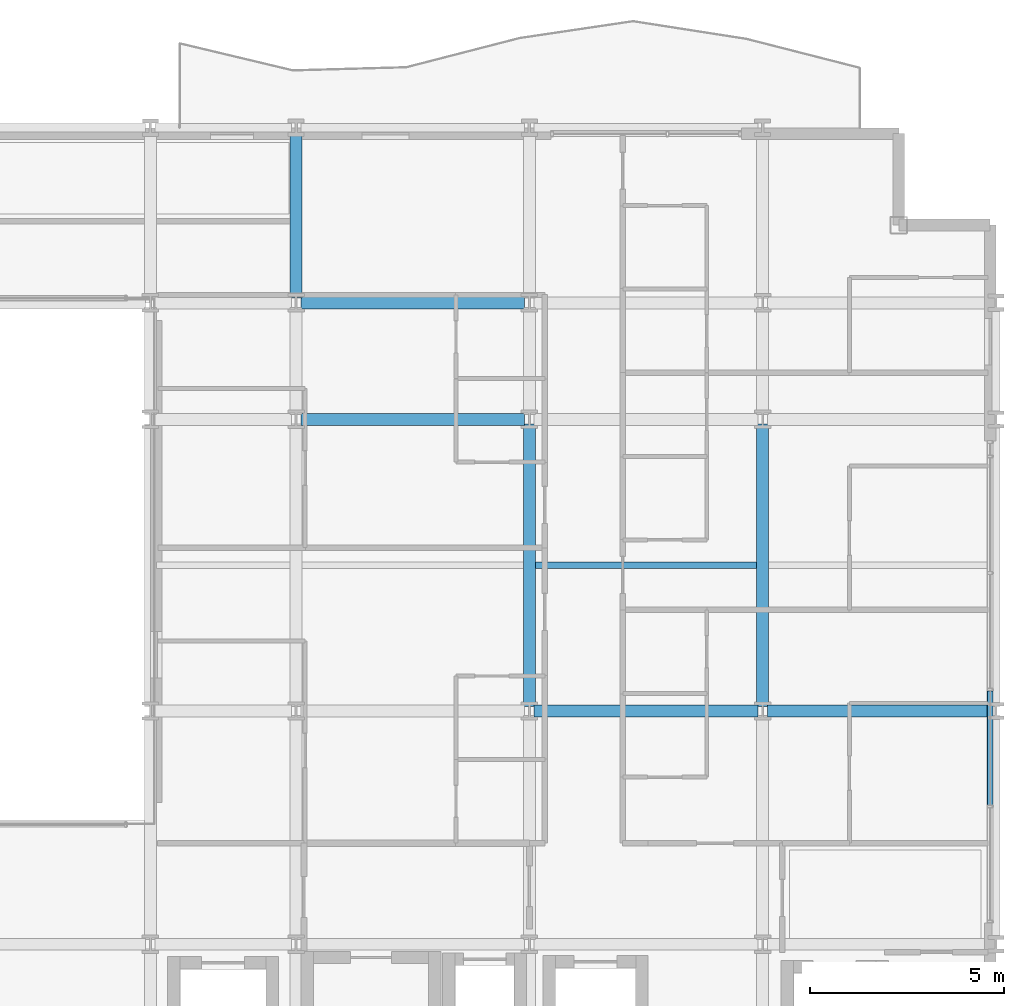
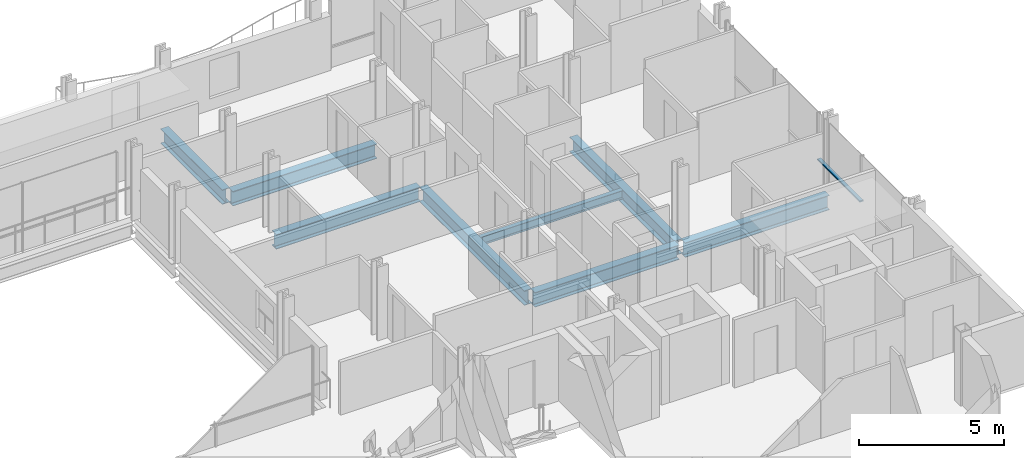
# One storey, part 18 of 40: 8 beams, 1 member, 1 element without a shape of its own.
"""IFC4 building model written with IfcOpenShell, lengths in metres."""

from ifc_helpers import new_model, si_unit, direction, frame, origin, origin_2d, place, context, subcontext, project, spatial, hollow_rectangle, i_section, extrude, material, layer, layer_set, material_profile, profile_set, type_object, element, aggregate, save


model = new_model("IFC4")

# Units and contexts
model_context = context("Model", 3, precision=1e-05, world=origin(), true_north=direction((0.0, 1.0)))
body_context = subcontext(model_context, "Body", "Model", "MODEL_VIEW")
ifc_project = project(units=[si_unit("LENGTHUNIT", "METRE"), si_unit("AREAUNIT", "SQUARE_METRE"), si_unit("VOLUMEUNIT", "CUBIC_METRE"), si_unit("PLANEANGLEUNIT", "RADIAN"), si_unit("MASSUNIT", "GRAM", prefix="KILO")], contexts=[model_context])

# Site, building, storey
site_placement = place(None, origin())
site = spatial("IfcSite", under=ifc_project, at=site_placement, CompositionType="ELEMENT")
building_placement = place(site_placement, origin())
building = spatial("IfcBuilding", under=site, at=building_placement, Name="Brevholm Reach", CompositionType="ELEMENT")
storey_placement = place(building_placement, frame((0.0, 0.0, 31.10009765625)))
storey = spatial("IfcBuildingStorey", under=building, at=storey_placement, Name="L07", CompositionType="ELEMENT", Elevation=31.10009765625)

# Beams
ifc_material_1 = material(Name="Structural Steel S355J2", Category="steel")
ifc_material_profile_1 = material_profile(ifc_material_1, i_section(OverallWidth=0.17138671875, OverallDepth=0.35498046875, WebThickness=0.00732421875, FlangeThickness=0.011474609375, FilletRadius=0.01025390625, at=origin_2d()), Name="UKB 356x171x51")
ifc_profile_set_1 = profile_set([ifc_material_profile_1], Name="Structural Steel S355J2")
beam_type_1 = type_object("IfcBeamType", Name="BM-B356", PredefinedType="BEAM", material=ifc_profile_set_1)
beam_1_placement = place(storey_placement, frame((48.153564453125, 19.75, -0.40771484375), z_axis=(1.0, 0.0, 0.0), x_axis=(0.0, 1.0, 0.0)))
element("IfcBeam", 1, at=beam_1_placement, inside=storey, type_object=beam_type_1, Name="L07 Composite Secondary Floor Beam", PredefinedType="BEAM", context=body_context, shape_type="SweptSolid", body=[
    extrude(i_section(OverallWidth=0.17138671875, OverallDepth=0.35498046875, WebThickness=0.00732421875, FlangeThickness=0.011474609375, FilletRadius=0.01025390625, at=origin_2d()), origin(), (0.0, 0.0, 1.0), 5.69287109375),
])
ifc_material_2 = material(Name="Structural Steel S355J2", Category="steel")
ifc_material_profile_2 = material_profile(ifc_material_2, i_section(OverallWidth=0.30712890625, OverallDepth=0.6201171875, WebThickness=0.01416015625, FlangeThickness=0.023681640625, FilletRadius=0.0166015625, at=origin_2d()), Name="UKB 610x305x179")
ifc_profile_set_2 = profile_set([ifc_material_profile_2], Name="Structural Steel S355J2")
beam_type_2 = type_object("IfcBeamType", Name="BM-UKB610H", PredefinedType="USERDEFINED", material=ifc_profile_set_2)
for number, where, z_axis, x_axis, name in (
    (2, (48.1201171875, 16.0, -0.540283203125), (1.0, 0.0, 0.0), (0.0, 1.0, 0.0), "L07 G-06 Framing Beam"),
    (3, (54.1201171875, 16.0, -0.540283203125), (1.0, 0.0, 0.0), (0.0, 1.0, 0.0), "L07 G-06 Framing Beam"),
    (4, (42.1201171875, 23.5, -0.540283203125), (1.0, 0.0, 0.0), (0.0, 1.0, 0.0), "L07 G-06 Framing Beam"),
    (5, (42.1201171875, 26.5, -0.540283203125), (1.0, 0.0, 0.0), (0.0, 1.0, 0.0), "L07 G-06 Framing Beam"),
):
    element("IfcBeam", number, at=place(storey_placement, frame(where, z_axis=z_axis, x_axis=x_axis)), inside=storey, type_object=beam_type_2, Name=name, ObjectType="GIRDER", PredefinedType="USERDEFINED", context=body_context, shape_type="SweptSolid", body=[
        extrude(i_section(OverallWidth=0.30712890625, OverallDepth=0.6201171875, WebThickness=0.01416015625, FlangeThickness=0.023681640625, FilletRadius=0.0166015625, at=origin_2d()), origin(), (0.0, 0.0, 1.0), 5.759765625),
    ])
beam_2_placement = place(storey_placement, frame((42.0, 26.6201171875, -0.540283203125), z_axis=(0.0, 1.0, 0.0), x_axis=(-1.0, 0.0, 0.0)))
element("IfcBeam", 6, at=beam_2_placement, inside=storey, type_object=beam_type_2, Name="L07 G-06 Framing Beam", ObjectType="GIRDER", PredefinedType="USERDEFINED", context=body_context, shape_type="SweptSolid", body=[
    extrude(i_section(OverallWidth=0.30712890625, OverallDepth=0.6201171875, WebThickness=0.01416015625, FlangeThickness=0.023681640625, FilletRadius=0.0166015625, at=origin_2d()), origin(), (0.0, 0.0, 1.0), 4.259765625),
])
for number, where, z_axis, x_axis, name in (
    (7, (48.0, 16.1201171875, -0.540283203125), (0.0, 1.0, 0.0), (-1.0, 0.0, 0.0), "L07 G-06 Framing Beam"),
    (8, (54.0, 16.1201171875, -0.540283203125), (0.0, 1.0, 0.0), (-1.0, 0.0, 0.0), "L07 G-06 Framing Beam"),
):
    element("IfcBeam", number, at=place(storey_placement, frame(where, z_axis=z_axis, x_axis=x_axis)), inside=storey, type_object=beam_type_2, Name=name, ObjectType="GIRDER", PredefinedType="USERDEFINED", context=body_context, shape_type="SweptSolid", body=[
        extrude(i_section(OverallWidth=0.30712890625, OverallDepth=0.6201171875, WebThickness=0.01416015625, FlangeThickness=0.023681640625, FilletRadius=0.0166015625, at=origin_2d()), origin(), (0.0, 0.0, 1.0), 7.259765625),
    ])

# Curtain wall, member
ifc_material_3 = material(Name="Dark Anodised Aluminium 6063-T6 and Solar-Control Glass", Category="aluminium")
ifc_layer = layer(ifc_material_3, 0.14990234375)
ifc_layer_set = layer_set([ifc_layer], Name="Dark Anodised Aluminium 6063-T6 and Solar-Control Glass")
curtain_wall_type = type_object("IfcCurtainWallType", Name="CW-01", PredefinedType="NOTDEFINED", material=ifc_layer_set)
curtain_wall_placement = place(storey_placement, origin())
curtain_wall = element("IfcCurtainWall", 9, at=curtain_wall_placement, inside=storey, type_object=curtain_wall_type, Name="L07 Curtain Wall CW-01", PredefinedType="NOTDEFINED")
ifc_material_4 = material(Name="Dark Anodised Aluminium 6063-T6", Category="aluminium")
ifc_material_profile_3 = material_profile(ifc_material_4, hollow_rectangle(XDim=0.06494140625, YDim=0.14990234375, WallThickness=0.0048828125, InnerFilletRadius=0.0048828125, OuterFilletRadius=0.010009765625, at=origin_2d()), Name="RHS 150x65x5")
ifc_profile_set_3 = profile_set([ifc_material_profile_3], Name="Dark Anodised Aluminium 6063-T6")
member_type = type_object("IfcMemberType", Name="CWT-150", PredefinedType="NOTDEFINED", material=ifc_profile_set_3)
member_placement = place(storey_placement, frame((59.85009765625, 13.58251953125, 0.89990234375), z_axis=(0.0, 1.0, 0.0), x_axis=(0.0, 0.0, 1.0)))
member = element("IfcMember", 10, at=member_placement, type_object=member_type, Name="CT-150 Transom 2.1", ObjectType="TRANSOM", PredefinedType="USERDEFINED", context=body_context, shape_type="SweptSolid", body=[
    extrude(hollow_rectangle(XDim=0.06494140625, YDim=0.14990234375, WallThickness=0.0048828125, InnerFilletRadius=0.0048828125, OuterFilletRadius=0.010009765625, at=origin_2d()), origin(), (0.0, 0.0, 1.0), 2.93505859375),
])
aggregate(curtain_wall, [member])

save(model, "model.ifc")
